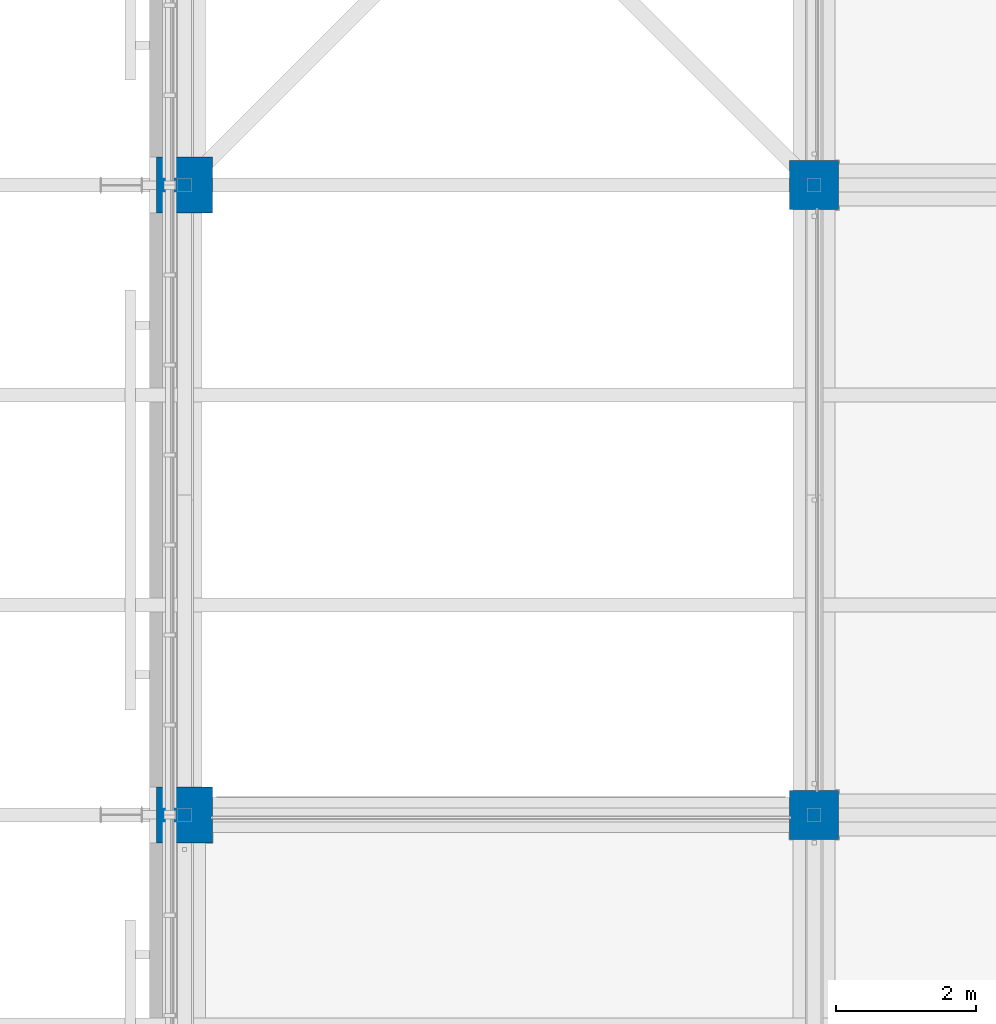
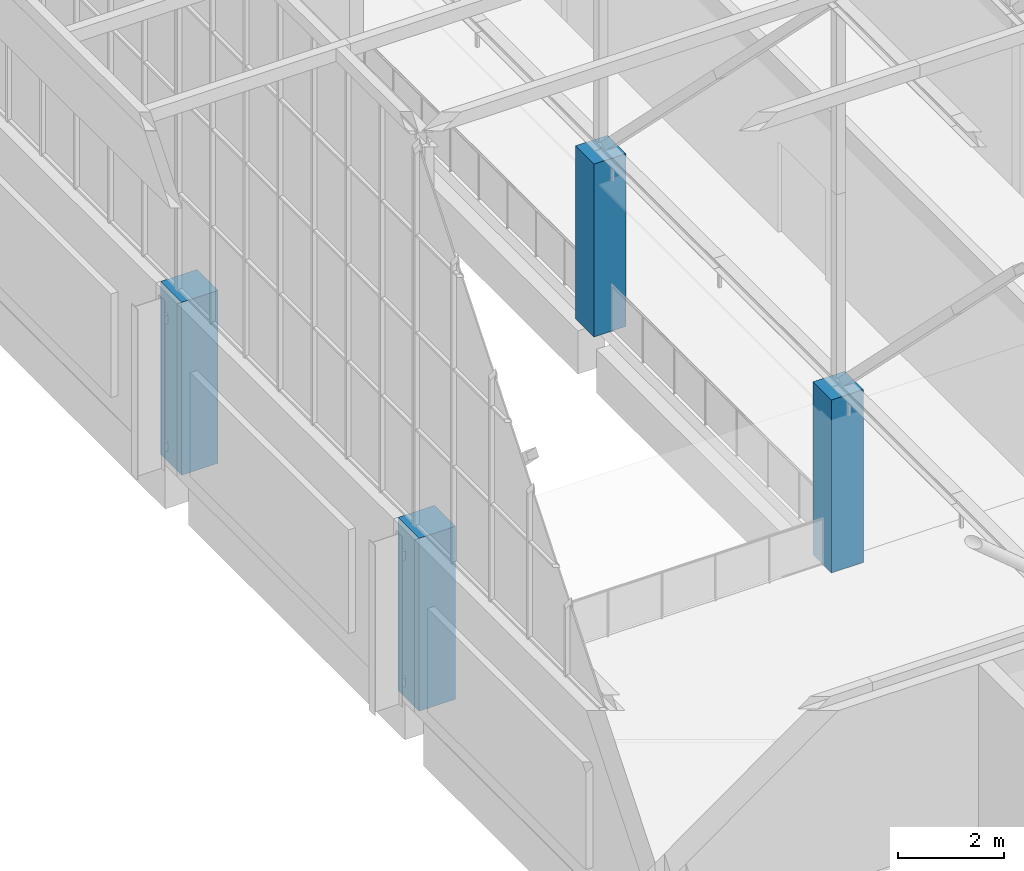
# One storey, part 1 of 646: 4 columns.
"""IFC4 building model written with IfcOpenShell, lengths in metres."""

from ifc_helpers import new_model, si_unit, direction, frame, origin, origin_2d, place, context, subcontext, project, spatial, rectangle, extrude, material, material_profile, profile_set, type_object, element, save


model = new_model("IFC4")

# Units and contexts
model_context = context("Model", 3, precision=1e-05, world=origin(), true_north=direction((0.0, 1.0)))
body_context = subcontext(model_context, "Body", "Model", "MODEL_VIEW")
ifc_project = project(units=[si_unit("LENGTHUNIT", "METRE"), si_unit("AREAUNIT", "SQUARE_METRE"), si_unit("VOLUMEUNIT", "CUBIC_METRE"), si_unit("PLANEANGLEUNIT", "RADIAN"), si_unit("MASSUNIT", "GRAM", prefix="KILO")], contexts=[model_context])

# Site, building, storey
site_placement = place(None, origin())
site = spatial("IfcSite", under=ifc_project, at=site_placement, CompositionType="ELEMENT")
building_placement = place(site_placement, origin())
building = spatial("IfcBuilding", under=site, at=building_placement, Name="Silverbay Arena", CompositionType="ELEMENT")
storey_placement = place(building_placement, frame((0.0, 0.0, 33.5)))
storey = spatial("IfcBuildingStorey", under=building, at=storey_placement, Name="L05", CompositionType="ELEMENT", Elevation=33.5)

# Columns
ifc_material_1 = material(Name="Concrete Grade C45", Category="concrete")
ifc_material_profile_1 = material_profile(ifc_material_1, rectangle(XDim=0.699951171875, YDim=0.699951171875, at=origin_2d()), Name="RC 700x700")
ifc_profile_set_1 = profile_set([ifc_material_profile_1], Name="Concrete Grade C45")
column_type_1 = type_object("IfcColumnType", Name="RC column 700x700", PredefinedType="COLUMN", material=ifc_profile_set_1)
for number, where, z_axis, x_axis, name in (
    (1, (63.0, 36.0, 0.0), (0.0, 0.0, 1.0), (1.0, 0.0, 0.0), "Column 8/E L05"),
    (2, (63.0, 45.0, 0.0), (0.0, 0.0, 1.0), (1.0, 0.0, 0.0), "Column 8/F L05"),
):
    element("IfcColumn", number, at=place(storey_placement, frame(where, z_axis=z_axis, x_axis=x_axis)), inside=storey, type_object=column_type_1, Name=name, PredefinedType="COLUMN", context=body_context, shape_type="SweptSolid", body=[
        extrude(rectangle(XDim=0.699951171875, YDim=0.699951171875, at=origin_2d()), origin(), (0.0, 0.0, 1.0), 4.0),
    ])
ifc_material_2 = material(Name="Concrete Grade C45", Category="concrete")
ifc_material_profile_2 = material_profile(ifc_material_2, rectangle(XDim=0.800048828125, YDim=0.800048828125, at=origin_2d()), Name="RC 800x800")
ifc_profile_set_2 = profile_set([ifc_material_profile_2], Name="Concrete Grade C45")
column_type_2 = type_object("IfcColumnType", Name="RC column 800x800", PredefinedType="COLUMN", material=ifc_profile_set_2)
for number, where, z_axis, x_axis, name in (
    (3, (54.0, 36.0, 0.0), (0.0, 0.0, 1.0), (1.0, 0.0, 0.0), "Column 7/E L05"),
    (4, (54.0, 45.0, 0.0), (0.0, 0.0, 1.0), (1.0, 0.0, 0.0), "Column 7/F L05"),
):
    element("IfcColumn", number, at=place(storey_placement, frame(where, z_axis=z_axis, x_axis=x_axis)), inside=storey, type_object=column_type_2, Name=name, PredefinedType="COLUMN", context=body_context, shape_type="SweptSolid", body=[
        extrude(rectangle(XDim=0.800048828125, YDim=0.800048828125, at=origin_2d()), origin(), (0.0, 0.0, 1.0), 4.0),
    ])

save(model, "model.ifc")
